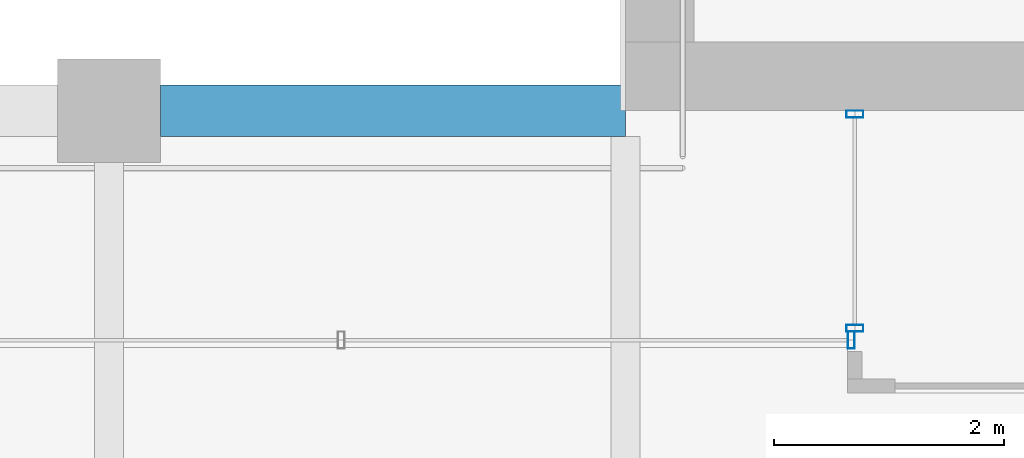
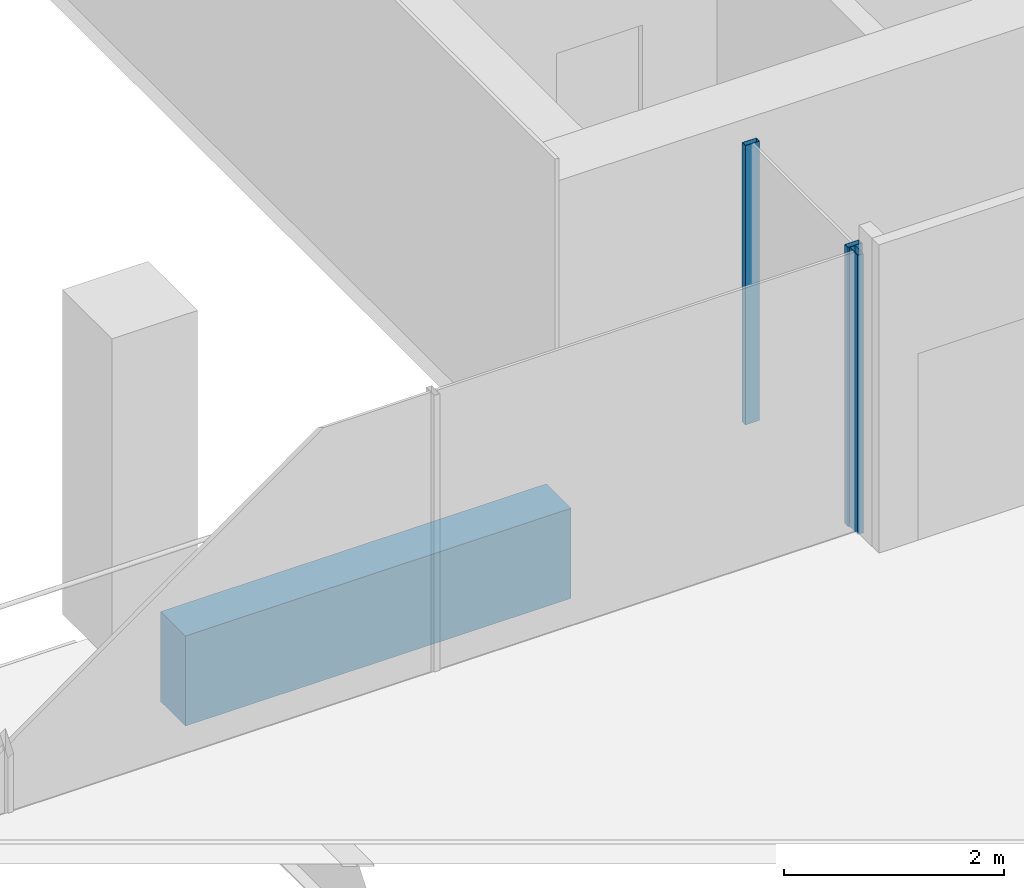
# One storey, part 6 of 40: 3 members, 1 beam, 2 elements without a shape of their own.
"""IFC4 building model written with IfcOpenShell, lengths in metres."""

from ifc_helpers import new_model, si_unit, direction, frame, origin, origin_2d, place, context, subcontext, project, spatial, rectangle, hollow_rectangle, extrude, material, material_profile, profile_set, type_object, element, aggregate, save


model = new_model("IFC4")

# Units and contexts
model_context = context("Model", 3, precision=1e-05, world=origin(), true_north=direction((0.0, 1.0)))
body_context = subcontext(model_context, "Body", "Model", "MODEL_VIEW")
ifc_project = project(units=[si_unit("LENGTHUNIT", "METRE"), si_unit("AREAUNIT", "SQUARE_METRE"), si_unit("VOLUMEUNIT", "CUBIC_METRE"), si_unit("PLANEANGLEUNIT", "RADIAN"), si_unit("MASSUNIT", "GRAM", prefix="KILO")], contexts=[model_context])

# Site, building, storey
site_placement = place(None, origin())
site = spatial("IfcSite", under=ifc_project, at=site_placement, CompositionType="ELEMENT")
building_placement = place(site_placement, origin())
building = spatial("IfcBuilding", under=site, at=building_placement, Name="Altepetl Exchange Towers", CompositionType="ELEMENT")
storey_placement = place(building_placement, frame((0.0, 0.0, 179.800048828125)))
storey = spatial("IfcBuildingStorey", under=building, at=storey_placement, Name="L45", CompositionType="ELEMENT", Elevation=179.800048828125)

# Curtain wall, members
ifc_material_1 = material(Name="Aluminium 6063-T6 glazing", Category="aluminium")
curtain_wall_type = type_object("IfcCurtainWallType", Name="Loggia glazing system", PredefinedType="NOTDEFINED", material=ifc_material_1)
curtain_wall_1_placement = place(storey_placement, origin())
curtain_wall_1 = element("IfcCurtainWall", 1, at=curtain_wall_1_placement, inside=storey, type_object=curtain_wall_type, Name="CW1 run", PredefinedType="NOTDEFINED")
ifc_material_2 = material(Name="Aluminium 6063-T6", Category="aluminium")
ifc_material_profile_1 = material_profile(ifc_material_2, hollow_rectangle(XDim=0.06005859375, YDim=0.14990234375, WallThickness=0.0029296875, at=origin_2d()), Name="Mullion 60x150 aluminium")
ifc_profile_set_1 = profile_set([ifc_material_profile_1], Name="Aluminium 6063-T6")
member_type = type_object("IfcMemberType", Name="Mullion 60x150 aluminium", PredefinedType="MULLION", material=ifc_profile_set_1)
member_1_placement = place(storey_placement, frame((42.5, 40.469970703125, 0.0), z_axis=(0.0, 0.0, 1.0), x_axis=(0.0, -1.0, 0.0)))
member_1 = element("IfcMember", 2, at=member_1_placement, type_object=member_type, Name="MU1 mullion", PredefinedType="MULLION", context=body_context, shape_type="SweptSolid", body=[
    extrude(hollow_rectangle(XDim=0.06005859375, YDim=0.14990234375, WallThickness=0.0029296875, at=origin_2d()), origin(), (0.0, 0.0, 1.0), 3.099853515625),
])
member_2_placement = place(storey_placement, frame((42.5, 38.60498046875, 0.0), z_axis=(0.0, 0.0, 1.0), x_axis=(0.0, -1.0, 0.0)))
member_2 = element("IfcMember", 3, at=member_2_placement, type_object=member_type, Name="MU1 mullion", PredefinedType="MULLION", context=body_context, shape_type="SweptSolid", body=[
    extrude(hollow_rectangle(XDim=0.06005859375, YDim=0.14990234375, WallThickness=0.0029296875, at=origin_2d()), origin(), (0.0, 0.0, 1.0), 3.099853515625),
])
aggregate(curtain_wall_1, [member_1, member_2])

# Curtain wall, member
curtain_wall_2_placement = place(storey_placement, origin())
curtain_wall_2 = element("IfcCurtainWall", 4, at=curtain_wall_2_placement, inside=storey, type_object=curtain_wall_type, Name="CW1 run", PredefinedType="NOTDEFINED")
member_3_placement = place(storey_placement, frame((42.469970703125, 38.5, 0.0), z_axis=(0.0, 0.0, 1.0), x_axis=(-1.0, 0.0, 0.0)))
member_3 = element("IfcMember", 5, at=member_3_placement, type_object=member_type, Name="MU1 mullion", PredefinedType="MULLION", context=body_context, shape_type="SweptSolid", body=[
    extrude(hollow_rectangle(XDim=0.06005859375, YDim=0.14990234375, WallThickness=0.0029296875, at=origin_2d()), origin(), (0.0, 0.0, 1.0), 3.099853515625),
])
aggregate(curtain_wall_2, [member_3])

# Beam
ifc_material_3 = material(Name="Concrete C50/60 precast with tezontle facing", Category="concrete")
ifc_material_profile_2 = material_profile(ifc_material_3, rectangle(XDim=0.449951171875, YDim=1.0, at=origin_2d()), Name="450 x 1000")
ifc_profile_set_2 = profile_set([ifc_material_profile_2], Name="Concrete C50/60 precast with tezontle facing")
beam_type = type_object("IfcBeamType", Name="Spandrel beam 450x1000 tezontle", PredefinedType="SPANDREL", material=ifc_profile_set_2)
beam_placement = place(storey_placement, frame((40.5, 40.5, -0.650146484375), z_axis=(-1.0, 0.0, 0.0), x_axis=(0.0, -1.0, 0.0)))
element("IfcBeam", 6, at=beam_placement, inside=storey, type_object=beam_type, Name="sp:A:L45:033", PredefinedType="SPANDREL", context=body_context, shape_type="SweptSolid", body=[
    extrude(rectangle(XDim=0.449951171875, YDim=1.0, at=origin_2d()), origin(), (0.0, 0.0, 1.0), 4.050048828125),
])

save(model, "model.ifc")
